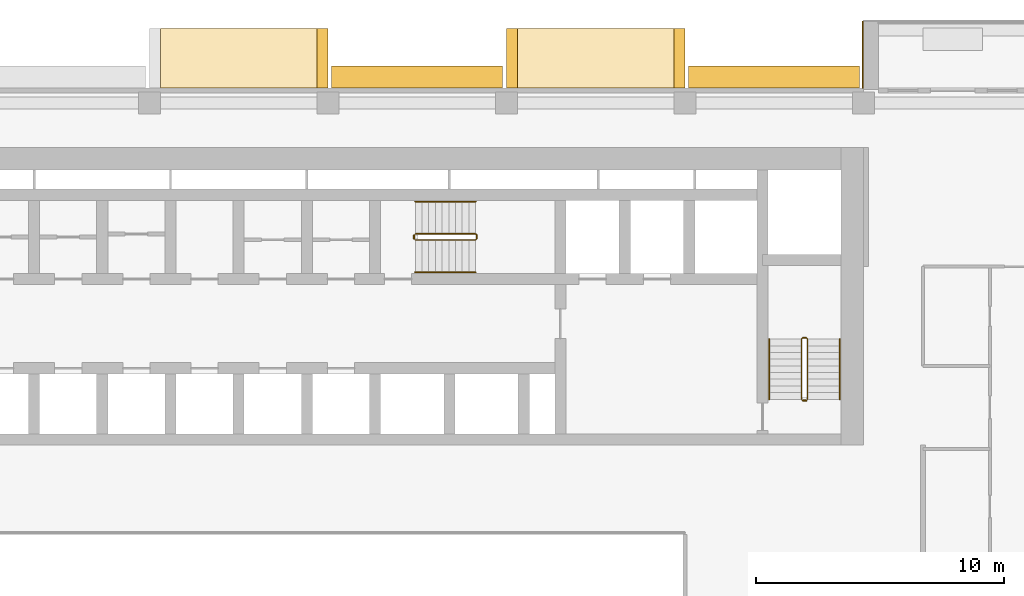
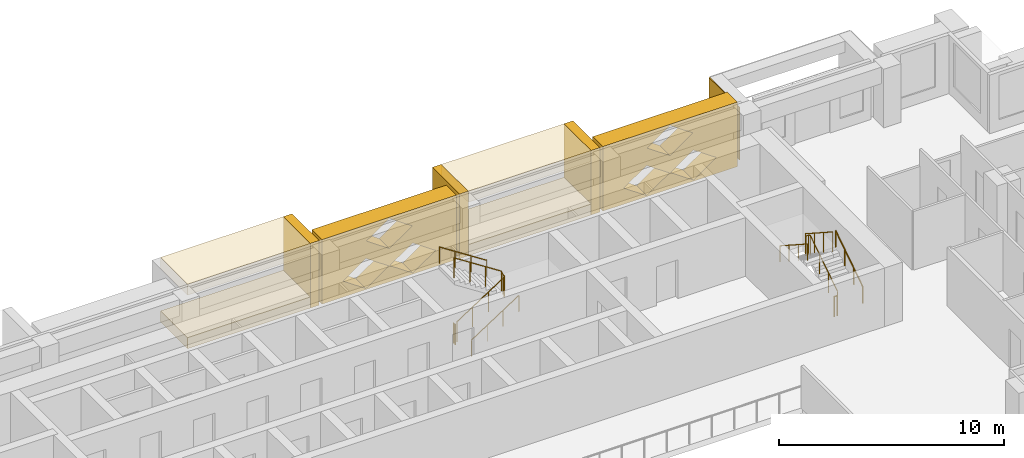
# One storey, part 16 of 17: 10 coverings, 8 railings.
"""IFC4 building model written with IfcOpenShell, lengths in metres."""

from ifc_helpers import new_model, si_unit, direction, frame, origin, origin_2d, place, context, subcontext, project, spatial, polyline, circle, outline, extrude, material, layer, layer_set, type_object, element, save


model = new_model("IFC4")

# Units and contexts
model_context = context("Model", 3, precision=1e-05, world=origin(), true_north=direction((0.0, 1.0)))
body_context = subcontext(model_context, "Body", "Model", "MODEL_VIEW")
ifc_project = project(units=[si_unit("LENGTHUNIT", "METRE"), si_unit("AREAUNIT", "SQUARE_METRE"), si_unit("VOLUMEUNIT", "CUBIC_METRE"), si_unit("PLANEANGLEUNIT", "RADIAN"), si_unit("MASSUNIT", "GRAM", prefix="KILO")], contexts=[model_context])

# Site, building, storey
site_placement = place(None, origin())
site = spatial("IfcSite", under=ifc_project, at=site_placement, CompositionType="ELEMENT")
building_placement = place(site_placement, origin())
building = spatial("IfcBuilding", under=site, at=building_placement, Name="Saffron Iwan Residences", CompositionType="ELEMENT")
storey_placement = place(building_placement, frame((0.0, 0.0, 93.5)))
storey = spatial("IfcBuildingStorey", under=building, at=storey_placement, Name="L24", CompositionType="ELEMENT", Elevation=93.5)

# Coverings
ifc_material_1 = material(Name="Precast concrete C40/50 white painted", Category="concrete")
ifc_layer = layer(ifc_material_1, 0.050048828125)
ifc_layer_set = layer_set([ifc_layer], Name="Precast concrete C40/50 white painted")
covering_type_1 = type_object("IfcCoveringType", Name="FRAME SKIN PRECAST WHITE 50", PredefinedType="CLADDING", material=ifc_layer_set)
covering_1_placement = place(storey_placement, origin())
element("IfcCovering", 1, at=covering_1_placement, inside=storey, type_object=covering_type_1, Name="Frame skin fin L24 F5-0b", PredefinedType="CLADDING", context=body_context, shape_type="SweptSolid", body=[
    extrude(outline(polyline([(72.0, 83.10009765625), (71.949951171875, 83.10009765625), (71.949951171875, 80.39990234375), (72.0, 80.39990234375), (72.0, 83.10009765625)])), origin(), (0.0, 0.0, 1.0), 2.85009765625),
])
ifc_material_2 = material(Name="Precast concrete C40/50", Category="concrete")
covering_type_2 = type_object("IfcCoveringType", Name="OUTER SKIN LATTICE SCREEN", PredefinedType="CLADDING", material=ifc_material_2)
for number, where, z_axis, x_axis, name in (
    (2, (71.85009765625, 80.39990234375, -0.320068359375), (0.0, 1.0, 0.0), (-1.0, 0.0, 0.0), "OUTER SKIN lattice screen L24 F5.1"),
    (3, (57.449951171875, 80.39990234375, -0.320068359375), (0.0, 1.0, 0.0), (-1.0, 0.0, 0.0), "OUTER SKIN lattice screen L24 F5.2"),
):
    element("IfcCovering", number, at=place(storey_placement, frame(where, z_axis=z_axis, x_axis=x_axis)), inside=storey, type_object=covering_type_2, Name=name, PredefinedType="CLADDING", context=body_context, shape_type="SweptSolid", body=[
        extrude(outline(polyline([(0.0, 0.0), (6.89990234375, 0.0), (6.89990234375, 3.5), (0.0, 3.5), (0.0, 0.0)]), holes=[polyline([(1.070068359375, 0.875), (2.25, 0.06005859375), (3.429931640625, 0.875), (2.25, 1.68994140625), (1.070068359375, 0.875)]), polyline([(3.469970703125, 0.875), (4.64990234375, 0.06005859375), (5.830078125, 0.875), (4.64990234375, 1.68994140625), (3.469970703125, 0.875)]), polyline([(2.27001953125, 2.625), (3.449951171875, 1.81005859375), (4.6298828125, 2.625), (3.449951171875, 3.43994140625), (2.27001953125, 2.625)])]), origin(), (0.0, 0.0, 1.0), 0.900146484375),
    ])

# Railings
ifc_material_3 = material(Name="Steel S355", Category="steel")
railing_type_1 = type_object("IfcRailingType", Name="Stair guard 1100", PredefinedType="GUARDRAIL", material=ifc_material_3)
railing_1_placement = place(storey_placement, frame((53.925048828125, 74.27490234375, 0.175048828125)))
element("IfcRailing", 4, at=railing_1_placement, inside=storey, type_object=railing_type_1, Name="L24 ST-C stair guard 1", PredefinedType="GUARDRAIL", context=body_context, shape_type="SweptSolid", body=[
    extrude(circle(Radius=0.02392578125, at=origin_2d()), frame((0.0, 0.0, 1.076171875), z_axis=(0.839153699163, 0.0, 0.543894354798), x_axis=(0.0, 1.0, 0.0)), (0.0, 0.0, 1.0), 2.895751953125),
    extrude(circle(Radius=0.02392578125, at=origin_2d()), frame((2.429931640625, 0.0, 2.65087890625), z_axis=(0.707106781187, 0.707106781187, 0.0), x_axis=(-0.707106781187, 0.707106781187, 0.0)), (0.0, 0.0, 1.0), 0.07080078125),
    extrude(circle(Radius=0.02392578125, at=origin_2d()), frame((2.47998046875, 0.050048828125, 2.65087890625), z_axis=(0.0, 1.0, 0.0), x_axis=(-1.0, 0.0, 0.0)), (0.0, 0.0, 1.0), 0.150146484375),
    extrude(circle(Radius=0.02392578125, at=origin_2d()), frame((2.47998046875, 0.2001953125, 2.65087890625), z_axis=(-0.265155923931, 0.263862480399, 0.927399011991), x_axis=(-0.705375805398, -0.708833529934, 0.0)), (0.0, 0.0, 1.0), 0.188720703125),
    extrude(circle(Radius=0.02392578125, at=origin_2d()), frame((2.429931640625, 0.25, 2.826171875), z_axis=(-0.839153699163, 0.0, 0.543894354798), x_axis=(0.0, -1.0, 0.0)), (0.0, 0.0, 1.0), 2.895751953125),
    extrude(circle(Radius=0.02099609375, at=origin_2d()), origin(), (0.0, 0.0, 1.0), 1.052001953125),
    extrude(circle(Radius=0.02099609375, at=origin_2d()), frame((0.81005859375, 0.0, 0.52490234375)), (0.0, 0.0, 1.0), 1.052001953125),
    extrude(circle(Radius=0.02099609375, at=origin_2d()), frame((1.619873046875, 0.0, 1.050048828125)), (0.0, 0.0, 1.0), 1.052001953125),
    extrude(circle(Radius=0.02099609375, at=origin_2d()), frame((2.429931640625, 0.0, 1.574951171875)), (0.0, 0.0, 1.0), 1.052001953125),
    extrude(circle(Radius=0.02099609375, at=origin_2d()), frame((2.47998046875, 0.050048828125, 1.574951171875)), (0.0, 0.0, 1.0), 1.052001953125),
    extrude(circle(Radius=0.02099609375, at=origin_2d()), frame((2.47998046875, 0.2001953125, 1.574951171875)), (0.0, 0.0, 1.0), 1.052001953125),
    extrude(circle(Radius=0.02099609375, at=origin_2d()), frame((2.429931640625, 0.25, 1.75)), (0.0, 0.0, 1.0), 1.052001953125),
    extrude(circle(Radius=0.02099609375, at=origin_2d()), frame((1.619873046875, 0.25, 2.27490234375)), (0.0, 0.0, 1.0), 1.052001953125),
    extrude(circle(Radius=0.02099609375, at=origin_2d()), frame((0.81005859375, 0.25, 2.800048828125)), (0.0, 0.0, 1.0), 1.052001953125),
    extrude(circle(Radius=0.02099609375, at=origin_2d()), frame((0.0, 0.25, 3.324951171875)), (0.0, 0.0, 1.0), 1.052001953125),
])
railing_2_placement = place(storey_placement, frame((53.875, 74.324951171875, 0.0)))
element("IfcRailing", 5, at=railing_2_placement, inside=storey, type_object=railing_type_1, Name="L24 ST-C stair guard 2", PredefinedType="GUARDRAIL", context=body_context, shape_type="SweptSolid", body=[
    extrude(circle(Radius=0.02392578125, at=origin_2d()), frame((0.0, 0.0, 1.076171875), z_axis=(0.0, 1.0, 0.0), x_axis=(-1.0, 0.0, 0.0)), (0.0, 0.0, 1.0), 0.150146484375),
    extrude(circle(Radius=0.02099609375, at=origin_2d()), origin(), (0.0, 0.0, 1.0), 1.052001953125),
    extrude(circle(Radius=0.02099609375, at=origin_2d()), frame((0.0, 0.150146484375, 0.0)), (0.0, 0.0, 1.0), 1.052001953125),
])
railing_3_placement = place(storey_placement, frame((69.75, 67.85009765625, 0.175048828125)))
element("IfcRailing", 6, at=railing_3_placement, inside=storey, type_object=railing_type_1, Name="L24 ST-E stair guard 1", PredefinedType="GUARDRAIL", context=body_context, shape_type="SweptSolid", body=[
    extrude(circle(Radius=0.02392578125, at=origin_2d()), frame((0.0, 0.0, 1.076171875), z_axis=(0.0, 0.839153699163, 0.543894354798), x_axis=(-1.0, 0.0, 0.0)), (0.0, 0.0, 1.0), 2.895751953125),
    extrude(circle(Radius=0.02392578125, at=origin_2d()), frame((0.0, 2.429931640625, 2.65087890625), z_axis=(-0.707106781187, 0.707106781187, 0.0), x_axis=(-0.707106781187, -0.707106781187, 0.0)), (0.0, 0.0, 1.0), 0.07080078125),
    extrude(circle(Radius=0.02392578125, at=origin_2d()), frame((-0.050048828125, 2.47998046875, 2.65087890625), z_axis=(-1.0, 0.0, 0.0), x_axis=(0.0, -1.0, 0.0)), (0.0, 0.0, 1.0), 0.14990234375),
    extrude(circle(Radius=0.02392578125, at=origin_2d()), frame((-0.199951171875, 2.47998046875, 2.65087890625), z_axis=(-0.265065253269, -0.265065253269, 0.927081885822), x_axis=(0.707106781187, -0.707106781187, 0.0)), (0.0, 0.0, 1.0), 0.188720703125),
    extrude(circle(Radius=0.02392578125, at=origin_2d()), frame((-0.25, 2.429931640625, 2.826171875), z_axis=(0.0, -0.839153699163, 0.543894354798), x_axis=(1.0, 0.0, 0.0)), (0.0, 0.0, 1.0), 2.895751953125),
    extrude(circle(Radius=0.02099609375, at=origin_2d()), origin(), (0.0, 0.0, 1.0), 1.052001953125),
    extrude(circle(Radius=0.02099609375, at=origin_2d()), frame((0.0, 0.81005859375, 0.52490234375)), (0.0, 0.0, 1.0), 1.052001953125),
    extrude(circle(Radius=0.02099609375, at=origin_2d()), frame((0.0, 1.619873046875, 1.050048828125)), (0.0, 0.0, 1.0), 1.052001953125),
    extrude(circle(Radius=0.02099609375, at=origin_2d()), frame((0.0, 2.429931640625, 1.574951171875)), (0.0, 0.0, 1.0), 1.052001953125),
    extrude(circle(Radius=0.02099609375, at=origin_2d()), frame((-0.050048828125, 2.47998046875, 1.574951171875)), (0.0, 0.0, 1.0), 1.052001953125),
    extrude(circle(Radius=0.02099609375, at=origin_2d()), frame((-0.199951171875, 2.47998046875, 1.574951171875)), (0.0, 0.0, 1.0), 1.052001953125),
    extrude(circle(Radius=0.02099609375, at=origin_2d()), frame((-0.25, 2.429931640625, 1.75)), (0.0, 0.0, 1.0), 1.052001953125),
    extrude(circle(Radius=0.02099609375, at=origin_2d()), frame((-0.25, 1.619873046875, 2.27490234375)), (0.0, 0.0, 1.0), 1.052001953125),
    extrude(circle(Radius=0.02099609375, at=origin_2d()), frame((-0.25, 0.81005859375, 2.800048828125)), (0.0, 0.0, 1.0), 1.052001953125),
    extrude(circle(Radius=0.02099609375, at=origin_2d()), frame((-0.25, 0.0, 3.324951171875)), (0.0, 0.0, 1.0), 1.052001953125),
])
railing_4_placement = place(storey_placement, frame((69.699951171875, 67.800048828125, 0.0)))
element("IfcRailing", 7, at=railing_4_placement, inside=storey, type_object=railing_type_1, Name="L24 ST-E stair guard 2", PredefinedType="GUARDRAIL", context=body_context, shape_type="SweptSolid", body=[
    extrude(circle(Radius=0.02392578125, at=origin_2d()), frame((0.0, 0.0, 1.076171875), z_axis=(-1.0, 0.0, 0.0), x_axis=(0.0, -1.0, 0.0)), (0.0, 0.0, 1.0), 0.14990234375),
    extrude(circle(Radius=0.02099609375, at=origin_2d()), origin(), (0.0, 0.0, 1.0), 1.052001953125),
    extrude(circle(Radius=0.02099609375, at=origin_2d()), frame((-0.14990234375, 0.0, 0.0)), (0.0, 0.0, 1.0), 1.052001953125),
])
ifc_material_4 = material(Name="Stainless steel 316", Category="steel")
railing_type_2 = type_object("IfcRailingType", Name="Stair handrail 900", PredefinedType="HANDRAIL", material=ifc_material_4)
railing_5_placement = place(storey_placement, frame((53.925048828125, 72.97509765625, 0.175048828125)))
element("IfcRailing", 8, at=railing_5_placement, inside=storey, type_object=railing_type_2, Name="L24 ST-C stair handrail 1", PredefinedType="HANDRAIL", context=body_context, shape_type="SweptSolid", body=[
    extrude(circle(Radius=0.02392578125, at=origin_2d()), frame((0.0, 0.0, 0.8759765625), z_axis=(0.839153699163, 0.0, 0.543894354798), x_axis=(0.0, 1.0, 0.0)), (0.0, 0.0, 1.0), 2.895751953125),
    extrude(circle(Radius=0.02099609375, at=origin_2d()), origin(), (0.0, 0.0, 1.0), 0.851806640625),
    extrude(circle(Radius=0.02099609375, at=origin_2d()), frame((0.81005859375, 0.0, 0.52490234375)), (0.0, 0.0, 1.0), 0.851806640625),
    extrude(circle(Radius=0.02099609375, at=origin_2d()), frame((1.619873046875, 0.0, 1.050048828125)), (0.0, 0.0, 1.0), 0.851806640625),
    extrude(circle(Radius=0.02099609375, at=origin_2d()), frame((2.429931640625, 0.0, 1.574951171875)), (0.0, 0.0, 1.0), 0.851806640625),
])
railing_6_placement = place(storey_placement, frame((56.35498046875, 75.824951171875, 1.925048828125)))
element("IfcRailing", 9, at=railing_6_placement, inside=storey, type_object=railing_type_2, Name="L24 ST-C stair handrail 2", PredefinedType="HANDRAIL", context=body_context, shape_type="SweptSolid", body=[
    extrude(circle(Radius=0.02392578125, at=origin_2d()), frame((0.0, 0.0, 0.8759765625), z_axis=(-0.839153699163, 0.0, 0.543894354798), x_axis=(0.0, -1.0, 0.0)), (0.0, 0.0, 1.0), 2.895751953125),
    extrude(circle(Radius=0.02099609375, at=origin_2d()), origin(), (0.0, 0.0, 1.0), 0.851806640625),
    extrude(circle(Radius=0.02099609375, at=origin_2d()), frame((-0.81005859375, 0.0, 0.52490234375)), (0.0, 0.0, 1.0), 0.851806640625),
    extrude(circle(Radius=0.02099609375, at=origin_2d()), frame((-1.619873046875, 0.0, 1.050048828125)), (0.0, 0.0, 1.0), 0.851806640625),
    extrude(circle(Radius=0.02099609375, at=origin_2d()), frame((-2.429931640625, 0.0, 1.574951171875)), (0.0, 0.0, 1.0), 0.851806640625),
])
railing_7_placement = place(storey_placement, frame((71.050048828125, 67.85009765625, 0.175048828125)))
element("IfcRailing", 10, at=railing_7_placement, inside=storey, type_object=railing_type_2, Name="L24 ST-E stair handrail 1", PredefinedType="HANDRAIL", context=body_context, shape_type="SweptSolid", body=[
    extrude(circle(Radius=0.02392578125, at=origin_2d()), frame((0.0, 0.0, 0.8759765625), z_axis=(0.0, 0.839153699163, 0.543894354798), x_axis=(-1.0, 0.0, 0.0)), (0.0, 0.0, 1.0), 2.895751953125),
    extrude(circle(Radius=0.02099609375, at=origin_2d()), origin(), (0.0, 0.0, 1.0), 0.851806640625),
    extrude(circle(Radius=0.02099609375, at=origin_2d()), frame((0.0, 0.81005859375, 0.52490234375)), (0.0, 0.0, 1.0), 0.851806640625),
    extrude(circle(Radius=0.02099609375, at=origin_2d()), frame((0.0, 1.619873046875, 1.050048828125)), (0.0, 0.0, 1.0), 0.851806640625),
    extrude(circle(Radius=0.02099609375, at=origin_2d()), frame((0.0, 2.429931640625, 1.574951171875)), (0.0, 0.0, 1.0), 0.851806640625),
])
railing_8_placement = place(storey_placement, frame((68.199951171875, 70.280029296875, 1.925048828125)))
element("IfcRailing", 11, at=railing_8_placement, inside=storey, type_object=railing_type_2, Name="L24 ST-E stair handrail 2", PredefinedType="HANDRAIL", context=body_context, shape_type="SweptSolid", body=[
    extrude(circle(Radius=0.02392578125, at=origin_2d()), frame((0.0, 0.0, 0.8759765625), z_axis=(0.0, -0.839153699163, 0.543894354798), x_axis=(1.0, 0.0, 0.0)), (0.0, 0.0, 1.0), 2.895751953125),
    extrude(circle(Radius=0.02099609375, at=origin_2d()), origin(), (0.0, 0.0, 1.0), 0.851806640625),
    extrude(circle(Radius=0.02099609375, at=origin_2d()), frame((0.0, -0.81005859375, 0.52490234375)), (0.0, 0.0, 1.0), 0.851806640625),
    extrude(circle(Radius=0.02099609375, at=origin_2d()), frame((0.0, -1.619873046875, 1.050048828125)), (0.0, 0.0, 1.0), 0.851806640625),
    extrude(circle(Radius=0.02099609375, at=origin_2d()), frame((0.0, -2.429931640625, 1.574951171875)), (0.0, 0.0, 1.0), 0.851806640625),
])

# Coverings
covering_type_3 = type_object("IfcCoveringType", Name="WHITE SUN FRAME PRECAST", PredefinedType="CLADDING", material=ifc_material_1)
for number, where, z_axis, x_axis, name in (
    (12, (64.800048828125, 80.39990234375, -0.320068359375), (0.0, 1.0, 0.0), (-1.0, 0.0, 0.0), "Sun frame L24 F5 18.0a"),
    (13, (58.050048828125, 80.39990234375, -0.320068359375), (0.0, 1.0, 0.0), (-1.0, 0.0, 0.0), "Sun frame L24 F5 18.0b"),
):
    element("IfcCovering", number, at=place(storey_placement, frame(where, z_axis=z_axis, x_axis=x_axis)), inside=storey, type_object=covering_type_3, Name=name, PredefinedType="CLADDING", context=body_context, shape_type="SweptSolid", body=[
        extrude(outline(polyline([(0.0, 0.0), (0.449951171875, 0.0), (0.449951171875, 3.5), (0.0, 3.5), (0.0, 0.0)])), origin(), (0.0, 0.0, 1.0), 2.400146484375),
    ])
for number, where, z_axis, x_axis, name in (
    (14, (64.35009765625, 80.39990234375, 2.580078125), (0.0, 1.0, 0.0), (-1.0, 0.0, 0.0), "Sun frame L24 F5 18.0h"),
    (15, (64.35009765625, 80.39990234375, -0.320068359375), (0.0, 1.0, 0.0), (-1.0, 0.0, 0.0), "Sun frame L24 F5 18.0s"),
):
    element("IfcCovering", number, at=place(storey_placement, frame(where, z_axis=z_axis, x_axis=x_axis)), inside=storey, type_object=covering_type_3, Name=name, PredefinedType="CLADDING", context=body_context, shape_type="SweptSolid", body=[
        extrude(outline(polyline([(0.0, 0.0), (6.300048828125, 0.0), (6.300048828125, 0.60009765625), (0.0, 0.60009765625), (0.0, 0.0)])), origin(), (0.0, 0.0, 1.0), 2.400146484375),
    ])
covering_2_placement = place(storey_placement, frame((50.39990234375, 80.39990234375, -0.320068359375), z_axis=(0.0, 1.0, 0.0), x_axis=(-1.0, 0.0, 0.0)))
element("IfcCovering", 16, at=covering_2_placement, inside=storey, type_object=covering_type_3, Name="Sun frame L24 F5 32.4a", PredefinedType="CLADDING", context=body_context, shape_type="SweptSolid", body=[
    extrude(outline(polyline([(0.0, 0.0), (0.449951171875, 0.0), (0.449951171875, 3.5), (0.0, 3.5), (0.0, 0.0)])), origin(), (0.0, 0.0, 1.0), 2.400146484375),
])
for number, where, z_axis, x_axis, name in (
    (17, (49.949951171875, 80.39990234375, 2.580078125), (0.0, 1.0, 0.0), (-1.0, 0.0, 0.0), "Sun frame L24 F5 32.4h"),
    (18, (49.949951171875, 80.39990234375, -0.320068359375), (0.0, 1.0, 0.0), (-1.0, 0.0, 0.0), "Sun frame L24 F5 32.4s"),
):
    element("IfcCovering", number, at=place(storey_placement, frame(where, z_axis=z_axis, x_axis=x_axis)), inside=storey, type_object=covering_type_3, Name=name, PredefinedType="CLADDING", context=body_context, shape_type="SweptSolid", body=[
        extrude(outline(polyline([(0.0, 0.0), (6.300048828125, 0.0), (6.300048828125, 0.60009765625), (0.0, 0.60009765625), (0.0, 0.0)])), origin(), (0.0, 0.0, 1.0), 2.400146484375),
    ])

save(model, "model.ifc")
